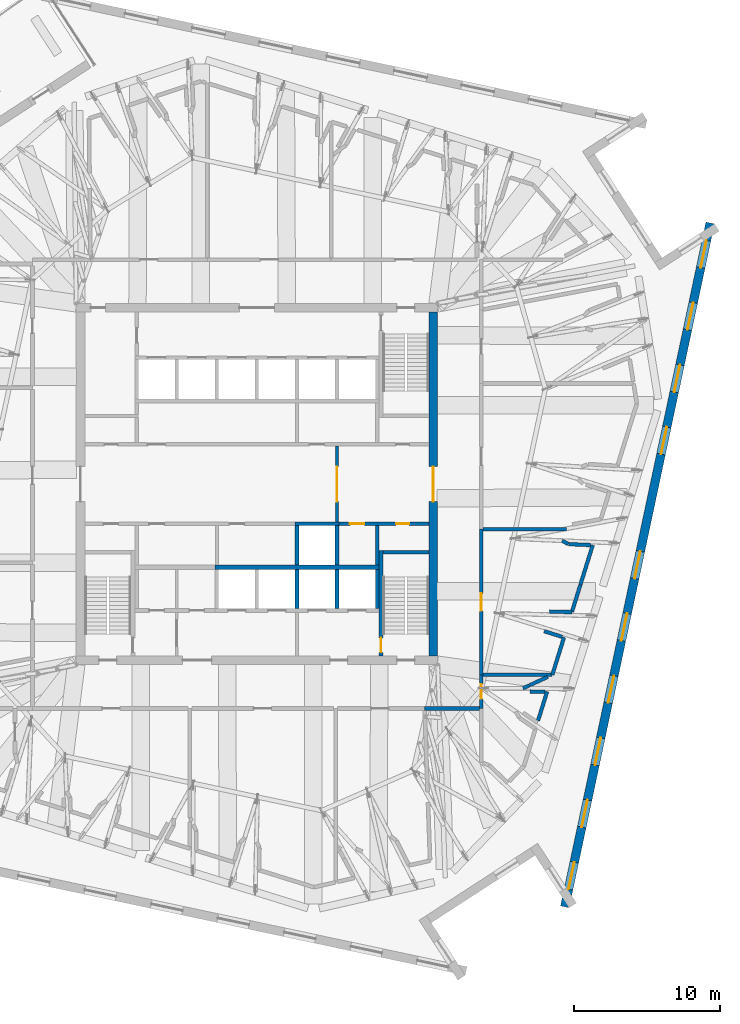
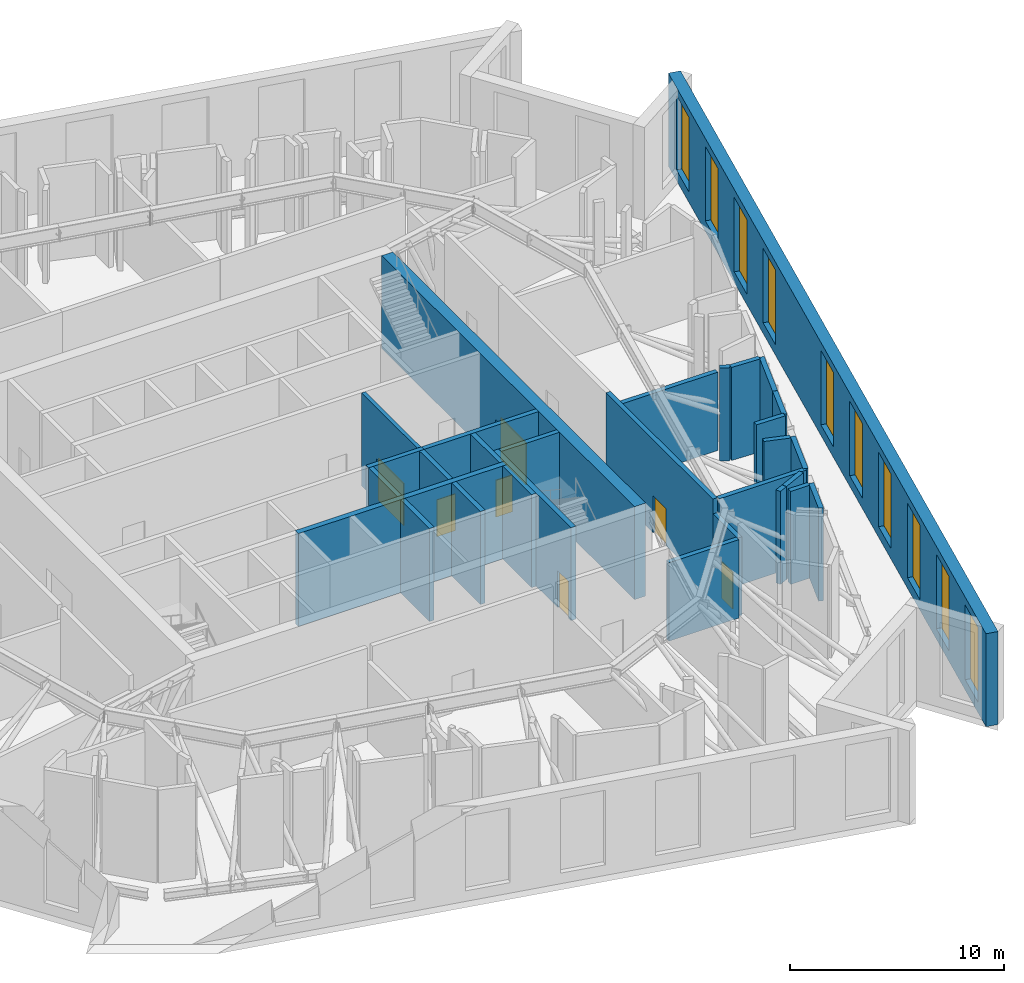
# One storey, part 9 of 19: 30 walls, 10 windows, 7 doors, 17 openings.
"""IFC4 building model written with IfcOpenShell, lengths in metres."""

from ifc_helpers import new_model, si_unit, direction, frame, frame_2d, origin, place, context, subcontext, project, spatial, rectangle, extrude, material, layer, layer_set, type_object, element, fill, save


model = new_model("IFC4")

# Units and contexts
model_context = context("Model", 3, precision=1e-05, world=origin(), true_north=direction((0.0, 1.0)))
body_context = subcontext(model_context, "Body", "Model", "MODEL_VIEW")
ifc_project = project(units=[si_unit("LENGTHUNIT", "METRE"), si_unit("AREAUNIT", "SQUARE_METRE"), si_unit("VOLUMEUNIT", "CUBIC_METRE"), si_unit("PLANEANGLEUNIT", "RADIAN"), si_unit("MASSUNIT", "GRAM", prefix="KILO")], contexts=[model_context])

# Site, building, storey
site_placement = place(None, origin())
site = spatial("IfcSite", under=ifc_project, at=site_placement, CompositionType="ELEMENT")
building_placement = place(site_placement, origin())
building = spatial("IfcBuilding", under=site, at=building_placement, Name="Dilmun Exchange Tower", CompositionType="ELEMENT")
storey_placement = place(building_placement, frame((0.0, 0.0, 344.5)))
storey = spatial("IfcBuildingStorey", under=building, at=storey_placement, Name="L82", CompositionType="ELEMENT", Elevation=344.5)

# Wall, opening, door
ifc_material_1 = material(Name="Concrete C40/50", Category="concrete")
ifc_layer_1 = layer(ifc_material_1, 0.199951171875)
ifc_layer_set_1 = layer_set([ifc_layer_1], Name="Concrete C40/50")
wall_type_1 = type_object("IfcWallType", Name="Core partition wall 200", PredefinedType="PARTITIONING", material=ifc_layer_set_1)
wall_1_placement = place(storey_placement, frame((5.5, -2.594970703125, 0.0), z_axis=(0.0, 0.0, 1.0), x_axis=(0.0, 1.0, 0.0)))
wall_1 = element("IfcWall", 1, at=wall_1_placement, inside=storey, type_object=wall_type_1, Name="L82 core partition wall 12", PredefinedType="PARTITIONING", context=body_context, shape_type="SweptSolid", body=[
    extrude(rectangle(XDim=5.18994140625, YDim=0.199951171875, at=frame_2d((2.594970703125, 0.0))), origin(), (0.0, 0.0, 1.0), 5.300048828125),
])
opening_1_placement = place(wall_1_placement, frame((1.39501953125, 0.0, 0.0)))
opening_1 = element("IfcOpeningElement", 2, at=opening_1_placement, cuts=wall_1, Name="Opening CD1", PredefinedType="OPENING", context=body_context, shape_type="SweptSolid", body=[
    extrude(rectangle(XDim=2.39990234375, YDim=2.39990234375, at=frame_2d((1.199951171875, 1.199951171875))), frame((0.0, 0.10986328125, 0.0), z_axis=(0.0, -1.0, 0.0), x_axis=(1.0, 0.0, 0.0)), (0.0, 0.0, 1.0), 0.219970703125),
])
ifc_material_2 = material(Name="Fire-rated steel door set", Category="steel")
door_type_1 = type_object("IfcDoorType", Name="Core lobby door 2400x2400", OperationType="DOUBLE_DOOR_DOUBLE_SWING", PredefinedType="DOOR", material=ifc_material_2)
door_1_placement = place(opening_1_placement, origin())
door_1 = element("IfcDoor", 3, at=door_1_placement, inside=storey, type_object=door_type_1, Name="L82 door Lift lobby east", OperationType="SINGLE_SWING_LEFT", OverallHeight=2.39990234375, OverallWidth=2.39990234375, PredefinedType="DOOR", context=body_context, shape_type="SweptSolid", body=[
    extrude(rectangle(XDim=2.39990234375, YDim=2.39990234375, at=frame_2d((1.199951171875, 1.199951171875))), frame((0.0, 0.02490234375, 0.0), z_axis=(0.0, -1.0, 0.0), x_axis=(1.0, 0.0, 0.0)), (0.0, 0.0, 1.0), 0.050048828125),
])
fill(opening_1, door_1)

# Wall
ifc_layer_2 = layer(ifc_material_1, 0.25)
ifc_layer_set_2 = layer_set([ifc_layer_2], Name="Concrete C40/50")
wall_type_2 = type_object("IfcWallType", Name="Core partition wall 250", PredefinedType="PARTITIONING", material=ifc_layer_set_2)
wall_2_placement = place(storey_placement, frame((8.25, -5.544921875, 0.0), z_axis=(0.0, 0.0, 1.0), x_axis=(0.0, 1.0, 0.0)))
element("IfcWall", 4, at=wall_2_placement, inside=storey, type_object=wall_type_2, Name="L82 core partition wall 09", PredefinedType="PARTITIONING", context=body_context, shape_type="SweptSolid", body=[
    extrude(rectangle(XDim=2.68994140625, YDim=0.25, at=frame_2d((1.344970703125, 0.0))), origin(), (0.0, 0.0, 1.0), 5.300048828125),
])

# Wall, openings, doors
wall_3_placement = place(storey_placement, frame((5.6298828125, -2.72509765625, 0.0), z_axis=(0.0, 0.0, 1.0), x_axis=(1.0, 0.0, 0.0)))
wall_3 = element("IfcWall", 5, at=wall_3_placement, inside=storey, type_object=wall_type_2, Name="L82 core partition wall 11", PredefinedType="PARTITIONING", context=body_context, shape_type="SweptSolid", body=[
    extrude(rectangle(XDim=6.1650390625, YDim=0.25, at=frame_2d((3.08251953125, 0.0))), origin(), (0.0, 0.0, 1.0), 5.300048828125),
])
opening_2_placement = place(wall_3_placement, frame((0.7451171875, 0.0, 0.0)))
opening_2 = element("IfcOpeningElement", 6, at=opening_2_placement, cuts=wall_3, Name="Opening CD4", PredefinedType="OPENING", context=body_context, shape_type="SweptSolid", body=[
    extrude(rectangle(XDim=1.0, YDim=2.10009765625, at=frame_2d((0.5, 1.050048828125))), frame((0.0, 0.135009765625, 0.0), z_axis=(0.0, -1.0, 0.0), x_axis=(1.0, 0.0, 0.0)), (0.0, 0.0, 1.0), 0.27001953125),
])
opening_3_placement = place(wall_3_placement, frame((3.919921875, 0.0, 0.0)))
opening_3 = element("IfcOpeningElement", 7, at=opening_3_placement, cuts=wall_3, Name="Opening CD6", PredefinedType="OPENING", context=body_context, shape_type="SweptSolid", body=[
    extrude(rectangle(XDim=0.89990234375, YDim=2.10009765625, at=frame_2d((0.449951171875, 1.050048828125))), frame((0.0, 0.135009765625, 0.0), z_axis=(0.0, -1.0, 0.0), x_axis=(1.0, 0.0, 0.0)), (0.0, 0.0, 1.0), 0.27001953125),
])
door_type_2 = type_object("IfcDoorType", Name="Core room door 1000x2100", OperationType="SINGLE_SWING_LEFT", PredefinedType="DOOR", material=ifc_material_2)
door_2_placement = place(opening_2_placement, origin())
door_2 = element("IfcDoor", 8, at=door_2_placement, inside=storey, type_object=door_type_2, Name="L82 door Cleaners' store", OperationType="SINGLE_SWING_LEFT", OverallHeight=2.10009765625, OverallWidth=1.0, PredefinedType="DOOR", context=body_context, shape_type="SweptSolid", body=[
    extrude(rectangle(XDim=1.0, YDim=2.10009765625, at=frame_2d((0.5, 1.050048828125))), frame((0.0, 0.02490234375, 0.0), z_axis=(0.0, -1.0, 0.0), x_axis=(1.0, 0.0, 0.0)), (0.0, 0.0, 1.0), 0.050048828125),
])
fill(opening_2, door_2)
door_type_3 = type_object("IfcDoorType", Name="Core room door 900x2100", OperationType="SINGLE_SWING_LEFT", PredefinedType="DOOR", material=ifc_material_2)
door_3_placement = place(opening_3_placement, origin())
door_3 = element("IfcDoor", 9, at=door_3_placement, inside=storey, type_object=door_type_3, Name="L82 door Comms riser", OperationType="SINGLE_SWING_LEFT", OverallHeight=2.10009765625, OverallWidth=0.89990234375, PredefinedType="DOOR", context=body_context, shape_type="SweptSolid", body=[
    extrude(rectangle(XDim=0.89990234375, YDim=2.10009765625, at=frame_2d((0.449951171875, 1.050048828125))), frame((0.0, 0.02490234375, 0.0), z_axis=(0.0, -1.0, 0.0), x_axis=(1.0, 0.0, 0.0)), (0.0, 0.0, 1.0), 0.050048828125),
])
fill(opening_3, door_3)

# Wall, opening, door
ifc_material_3 = material(Name="Concrete C50/60", Category="concrete")
ifc_layer_3 = layer(ifc_material_3, 0.60009765625)
ifc_layer_set_3 = layer_set([ifc_layer_3], Name="Concrete C50/60")
wall_type_3 = type_object("IfcWallType", Name="Core shear wall 600 Concrete C50/60", PredefinedType="SHEAR", material=ifc_layer_set_3)
wall_4_placement = place(storey_placement, frame((12.10009765625, -11.800048828125, 0.0), z_axis=(0.0, 0.0, 1.0), x_axis=(0.0, 1.0, 0.0)))
wall_4 = element("IfcWall", 10, at=wall_4_placement, inside=storey, type_object=wall_type_3, Name="L82 core shear wall E", PredefinedType="SHEAR", context=body_context, shape_type="SweptSolid", body=[
    extrude(rectangle(XDim=23.60009765625, YDim=0.60009765625, at=frame_2d((11.800048828125, 0.0))), origin(), (0.0, 0.0, 1.0), 5.300048828125),
])
opening_4_placement = place(wall_4_placement, frame((10.60009765625, 0.0, 0.0)))
opening_4 = element("IfcOpeningElement", 11, at=opening_4_placement, cuts=wall_4, Name="Opening CD1", PredefinedType="OPENING", context=body_context, shape_type="SweptSolid", body=[
    extrude(rectangle(XDim=2.39990234375, YDim=2.39990234375, at=frame_2d((1.199951171875, 1.199951171875))), frame((0.0, 0.31005859375, 0.0), z_axis=(0.0, -1.0, 0.0), x_axis=(1.0, 0.0, 0.0)), (0.0, 0.0, 1.0), 0.6201171875),
])
door_4_placement = place(opening_4_placement, origin())
door_4 = element("IfcDoor", 12, at=door_4_placement, inside=storey, type_object=door_type_1, Name="L82 door Central lift lobby", OperationType="SINGLE_SWING_LEFT", OverallHeight=2.39990234375, OverallWidth=2.39990234375, PredefinedType="DOOR", context=body_context, shape_type="SweptSolid", body=[
    extrude(rectangle(XDim=2.39990234375, YDim=2.39990234375, at=frame_2d((1.199951171875, 1.199951171875))), frame((0.0, 0.02490234375, 0.0), z_axis=(0.0, -1.0, 0.0), x_axis=(1.0, 0.0, 0.0)), (0.0, 0.0, 1.0), 0.050048828125),
])
fill(opening_4, door_4)

# Walls
ifc_layer_4 = layer(ifc_material_1, 0.300048828125)
ifc_layer_set_4 = layer_set([ifc_layer_4], Name="Concrete C40/50")
wall_type_4 = type_object("IfcWallType", Name="Lift shaft shared wall 300", PredefinedType="SOLIDWALL", material=ifc_layer_set_4)
wall_5_placement = place(storey_placement, frame((-2.875, -5.699951171875, 0.0), z_axis=(0.0, 0.0, 1.0), x_axis=(1.0, 0.0, 0.0)))
element("IfcWall", 13, at=wall_5_placement, inside=storey, type_object=wall_type_4, Name="L82 lift shaft rear wall S", PredefinedType="SOLIDWALL", context=body_context, shape_type="SweptSolid", body=[
    extrude(rectangle(XDim=11.25, YDim=0.300048828125, at=frame_2d((5.625, 0.0))), origin(), (0.0, 0.0, 1.0), 5.300048828125),
])
ifc_layer_5 = layer(ifc_material_1, 0.25)
ifc_layer_set_5 = layer_set([ifc_layer_5], Name="Concrete C40/50")
wall_type_5 = type_object("IfcWallType", Name="Lift shaft wall 250", PredefinedType="SOLIDWALL", material=ifc_layer_set_5)
wall_6_placement = place(storey_placement, frame((2.625, -2.72509765625, 0.0), z_axis=(0.0, 0.0, 1.0), x_axis=(1.0, 0.0, 0.0)))
element("IfcWall", 14, at=wall_6_placement, inside=storey, type_object=wall_type_5, Name="L82 lift shaft front wall S1", PredefinedType="SOLIDWALL", context=body_context, shape_type="SweptSolid", body=[
    extrude(rectangle(XDim=3.0, YDim=0.25, at=frame_2d((1.5, 0.0))), origin(), (0.0, 0.0, 1.0), 5.300048828125),
])
for number, where, z_axis, x_axis, name in (
    (15, (2.75, -5.550048828125, 0.0), (0.0, 0.0, 1.0), (0.0, 1.0, 0.0), "L82 lift shaft divider S14"),
    (16, (5.5, -5.550048828125, 0.0), (0.0, 0.0, 1.0), (0.0, 1.0, 0.0), "L82 lift shaft divider S15"),
    (17, (2.75, -8.550048828125, 0.0), (0.0, 0.0, 1.0), (0.0, 1.0, 0.0), "L82 lift shaft divider S24"),
    (18, (5.5, -8.550048828125, 0.0), (0.0, 0.0, 1.0), (0.0, 1.0, 0.0), "L82 lift shaft divider S25"),
    (19, (8.25, -8.550048828125, 0.0), (0.0, 0.0, 1.0), (0.0, 1.0, 0.0), "L82 lift shaft divider S26"),
):
    element("IfcWall", number, at=place(storey_placement, frame(where, z_axis=z_axis, x_axis=x_axis)), inside=storey, type_object=wall_type_5, Name=name, PredefinedType="SOLIDWALL", context=body_context, shape_type="SweptSolid", body=[
        extrude(rectangle(XDim=2.699951171875, YDim=0.25, at=frame_2d((1.35009765625, 0.0))), origin(), (0.0, 0.0, 1.0), 5.300048828125),
    ])
ifc_material_4 = material(Name="Concrete C32/40", Category="concrete")
ifc_layer_6 = layer(ifc_material_4, 0.25)
ifc_layer_set_6 = layer_set([ifc_layer_6], Name="Concrete C32/40")
wall_type_6 = type_object("IfcWallType", Name="Plant room wall 250", PredefinedType="PARTITIONING", material=ifc_layer_set_6)
wall_7_placement = place(storey_placement, frame((11.511962890625, -15.39990234375, 0.0), z_axis=(0.0, 0.0, 1.0), x_axis=(1.0, 0.0, 0.0)))
element("IfcWall", 20, at=wall_7_placement, inside=storey, type_object=wall_type_6, Name="L82 plant room wall 62", PredefinedType="PARTITIONING", context=body_context, shape_type="SweptSolid", body=[
    extrude(rectangle(XDim=3.758056640625, YDim=0.25, at=frame_2d((1.87890625, 0.0))), origin(), (0.0, 0.0, 1.0), 4.466064453125),
])

# Wall, opening, door
wall_8_placement = place(storey_placement, frame((15.39990234375, -15.39501953125, 0.0), z_axis=(0.0, 0.0, 1.0), x_axis=(0.0, 1.0, 0.0)))
wall_8 = element("IfcWall", 21, at=wall_8_placement, inside=storey, type_object=wall_type_6, Name="L82 plant room wall 63", PredefinedType="PARTITIONING", context=body_context, shape_type="SweptSolid", body=[
    extrude(rectangle(XDim=2.294921875, YDim=0.25, at=frame_2d((1.1474609375, 0.0))), origin(), (0.0, 0.0, 1.0), 4.466064453125),
])
opening_5_placement = place(wall_8_placement, frame((0.655029296875, 0.0, 0.0)))
opening_5 = element("IfcOpeningElement", 22, at=opening_5_placement, cuts=wall_8, Name="Opening PD1", PredefinedType="OPENING", context=body_context, shape_type="SweptSolid", body=[
    extrude(rectangle(XDim=1.0, YDim=2.10009765625, at=frame_2d((0.5, 1.050048828125))), frame((0.0, 0.135009765625, 0.0), z_axis=(0.0, -1.0, 0.0), x_axis=(1.0, 0.0, 0.0)), (0.0, 0.0, 1.0), 0.27001953125),
])
door_type_4 = type_object("IfcDoorType", Name="Plant room door 1000x2100", OperationType="SINGLE_SWING_LEFT", PredefinedType="DOOR", material=ifc_material_2)
door_5_placement = place(opening_5_placement, origin())
door_5 = element("IfcDoor", 23, at=door_5_placement, inside=storey, type_object=door_type_4, Name="L82 door Mechanical valve room", OperationType="SINGLE_SWING_RIGHT", OverallHeight=2.10009765625, OverallWidth=1.0, PredefinedType="DOOR", context=body_context, shape_type="SweptSolid", body=[
    extrude(rectangle(XDim=1.0, YDim=2.10009765625, at=frame_2d((0.5, 1.050048828125))), frame((0.0, 0.02490234375, 0.0), z_axis=(0.0, -1.0, 0.0), x_axis=(1.0, 0.0, 0.0)), (0.0, 0.0, 1.0), 0.050048828125),
])
fill(opening_5, door_5)

# Walls
wall_9_placement = place(storey_placement, frame((19.29150390625, -16.24072265625, 0.0), z_axis=(0.0, 0.0, 1.0), x_axis=(0.297582770828, 0.954696022044, 0.0)))
element("IfcWall", 24, at=wall_9_placement, inside=storey, type_object=wall_type_6, Name="L82 plant room wall 64", PredefinedType="PARTITIONING", context=body_context, shape_type="SweptSolid", body=[
    extrude(rectangle(XDim=2.0888671875, YDim=0.25, at=frame_2d((1.04443359375, 0.0))), origin(), (0.0, 0.0, 1.0), 5.300048828125),
])
wall_10_placement = place(storey_placement, frame((18.727294921875, -14.2421875, 0.0), z_axis=(0.0, 0.0, 1.0), x_axis=(0.999993077411, -0.003720904474, 0.0)))
element("IfcWall", 25, at=wall_10_placement, inside=storey, type_object=wall_type_6, Name="L82 plant room wall 65", PredefinedType="PARTITIONING", context=body_context, shape_type="SweptSolid", body=[
    extrude(rectangle(XDim=1.0498046875, YDim=0.25, at=frame_2d((0.52490234375, 0.0))), origin(), (0.0, 0.0, 1.0), 5.300048828125),
])
wall_11_placement = place(storey_placement, frame((18.26123046875, -14.01806640625, 0.0), z_axis=(0.0, 0.0, 1.0), x_axis=(0.907737611809, 0.419538351175, 0.0)))
element("IfcWall", 26, at=wall_11_placement, inside=storey, type_object=wall_type_6, Name="L82 plant room wall 66", PredefinedType="PARTITIONING", context=body_context, shape_type="SweptSolid", body=[
    extrude(rectangle(XDim=0.483642578125, YDim=0.25, at=frame_2d((0.24169921875, 0.0))), origin(), (0.0, 0.0, 1.0), 5.300048828125),
])

# Wall, opening, door
wall_12_placement = place(storey_placement, frame((15.39990234375, -13.094970703125, 0.0), z_axis=(0.0, 0.0, 1.0), x_axis=(0.0, 1.0, 0.0)))
wall_12 = element("IfcWall", 27, at=wall_12_placement, inside=storey, type_object=wall_type_6, Name="L82 plant room wall 68", PredefinedType="PARTITIONING", context=body_context, shape_type="SweptSolid", body=[
    extrude(rectangle(XDim=9.994873046875, YDim=0.25, at=frame_2d((4.99755859375, 0.0))), origin(), (0.0, 0.0, 1.0), 5.300048828125),
])
opening_6_placement = place(wall_12_placement, frame((4.39501953125, 0.0, 0.0)))
opening_6 = element("IfcOpeningElement", 28, at=opening_6_placement, cuts=wall_12, Name="Opening PD2", PredefinedType="OPENING", context=body_context, shape_type="SweptSolid", body=[
    extrude(rectangle(XDim=1.199951171875, YDim=2.10009765625, at=frame_2d((0.60009765625, 1.050048828125))), frame((0.0, 0.135009765625, 0.0), z_axis=(0.0, -1.0, 0.0), x_axis=(1.0, 0.0, 0.0)), (0.0, 0.0, 1.0), 0.27001953125),
])
door_type_5 = type_object("IfcDoorType", Name="Plant room door 1200x2100", OperationType="SINGLE_SWING_LEFT", PredefinedType="DOOR", material=ifc_material_2)
door_6_placement = place(opening_6_placement, origin())
door_6 = element("IfcDoor", 29, at=door_6_placement, inside=storey, type_object=door_type_5, Name="L82 door AHU room", OperationType="SINGLE_SWING_LEFT", OverallHeight=2.10009765625, OverallWidth=1.199951171875, PredefinedType="DOOR", context=body_context, shape_type="SweptSolid", body=[
    extrude(rectangle(XDim=1.199951171875, YDim=2.10009765625, at=frame_2d((0.60009765625, 1.050048828125))), frame((0.0, 0.02490234375, 0.0), z_axis=(0.0, -1.0, 0.0), x_axis=(1.0, 0.0, 0.0)), (0.0, 0.0, 1.0), 0.050048828125),
])
fill(opening_6, door_6)

# Walls
wall_13_placement = place(storey_placement, frame((15.530029296875, -13.10009765625, 0.0), z_axis=(0.0, 0.0, 1.0), x_axis=(1.0, 0.0, 0.0)))
element("IfcWall", 30, at=wall_13_placement, inside=storey, type_object=wall_type_6, Name="L82 plant room wall 69", PredefinedType="PARTITIONING", context=body_context, shape_type="SweptSolid", body=[
    extrude(rectangle(XDim=4.719482421875, YDim=0.25, at=frame_2d((2.35986328125, 0.0))), origin(), (0.0, 0.0, 1.0), 5.300048828125),
])
wall_14_placement = place(storey_placement, frame((18.7138671875, -13.80908203125, 0.0), z_axis=(0.0, 0.0, 1.0), x_axis=(0.907886952758, 0.419215077271, 0.0)))
element("IfcWall", 31, at=wall_14_placement, inside=storey, type_object=wall_type_6, Name="L82 plant room wall 70", PredefinedType="PARTITIONING", context=body_context, shape_type="SweptSolid", body=[
    extrude(rectangle(XDim=1.38134765625, YDim=0.25, at=frame_2d((0.690673828125, 0.0))), origin(), (0.0, 0.0, 1.0), 5.300048828125),
])
wall_15_placement = place(storey_placement, frame((20.270263671875, -13.10009765625, 0.0), z_axis=(0.0, 0.0, 1.0), x_axis=(0.297460741613, 0.954734050508, 0.0)))
element("IfcWall", 32, at=wall_15_placement, inside=storey, type_object=wall_type_6, Name="L82 plant room wall 76", PredefinedType="PARTITIONING", context=body_context, shape_type="SweptSolid", body=[
    extrude(rectangle(XDim=2.69775390625, YDim=0.25, at=frame_2d((1.348876953125, 0.0))), origin(), (0.0, 0.0, 1.0), 5.300048828125),
])
wall_16_placement = place(storey_placement, frame((19.7158203125, -10.1015625, 0.0), z_axis=(0.0, 0.0, 1.0), x_axis=(0.954755423217, -0.297392134796, 0.0)))
element("IfcWall", 33, at=wall_16_placement, inside=storey, type_object=wall_type_6, Name="L82 plant room wall 77", PredefinedType="PARTITIONING", context=body_context, shape_type="SweptSolid", body=[
    extrude(rectangle(XDim=1.291259765625, YDim=0.25, at=frame_2d((0.6455078125, 0.0))), origin(), (0.0, 0.0, 1.0), 5.300048828125),
])
wall_17_placement = place(storey_placement, frame((20.07421875, -8.751708984375, 0.0), z_axis=(0.0, 0.0, 1.0), x_axis=(0.999677963181, -0.025376562607, 0.0)))
element("IfcWall", 34, at=wall_17_placement, inside=storey, type_object=wall_type_6, Name="L82 plant room wall 79", PredefinedType="PARTITIONING", context=body_context, shape_type="SweptSolid", body=[
    extrude(rectangle(XDim=1.539306640625, YDim=0.25, at=frame_2d((0.76953125, 0.0))), origin(), (0.0, 0.0, 1.0), 5.300048828125),
])
wall_18_placement = place(storey_placement, frame((21.618408203125, -8.773193359375, 0.0), z_axis=(0.0, 0.0, 1.0), x_axis=(0.297560018368, 0.954703113784, 0.0)))
element("IfcWall", 35, at=wall_18_placement, inside=storey, type_object=wall_type_6, Name="L82 plant room wall 82", PredefinedType="PARTITIONING", context=body_context, shape_type="SweptSolid", body=[
    extrude(rectangle(XDim=1.944580078125, YDim=0.25, at=frame_2d((0.97216796875, 0.0))), origin(), (0.0, 0.0, 1.0), 5.300048828125),
])
wall_19_placement = place(storey_placement, frame((22.198486328125, -6.912109375, 0.0), z_axis=(0.0, 0.0, 1.0), x_axis=(0.29747739365, 0.954728862174, 0.0)))
element("IfcWall", 36, at=wall_19_placement, inside=storey, type_object=wall_type_6, Name="L82 plant room wall 85", PredefinedType="PARTITIONING", context=body_context, shape_type="SweptSolid", body=[
    extrude(rectangle(XDim=2.84130859375, YDim=0.25, at=frame_2d((1.420654296875, 0.0))), origin(), (0.0, 0.0, 1.0), 5.300048828125),
])
wall_20_placement = place(storey_placement, frame((21.3994140625, -4.126708984375, 0.0), z_axis=(0.0, 0.0, 1.0), x_axis=(0.999019848314, -0.044264462878, 0.0)))
element("IfcWall", 37, at=wall_20_placement, inside=storey, type_object=wall_type_6, Name="L82 plant room wall 86", PredefinedType="PARTITIONING", context=body_context, shape_type="SweptSolid", body=[
    extrude(rectangle(XDim=1.51123046875, YDim=0.25, at=frame_2d((0.755615234375, 0.0))), origin(), (0.0, 0.0, 1.0), 5.300048828125),
])
wall_21_placement = place(storey_placement, frame((20.942138671875, -3.8955078125, 0.0), z_axis=(0.0, 0.0, 1.0), x_axis=(0.886728784224, -0.462290020688, 0.0)))
element("IfcWall", 38, at=wall_21_placement, inside=storey, type_object=wall_type_6, Name="L82 plant room wall 87", PredefinedType="PARTITIONING", context=body_context, shape_type="SweptSolid", body=[
    extrude(rectangle(XDim=0.483642578125, YDim=0.25, at=frame_2d((0.24169921875, 0.0))), origin(), (0.0, 0.0, 1.0), 5.300048828125),
])
wall_22_placement = place(storey_placement, frame((15.530029296875, -3.10009765625, 0.0), z_axis=(0.0, 0.0, 1.0), x_axis=(1.0, 0.0, 0.0)))
element("IfcWall", 39, at=wall_22_placement, inside=storey, type_object=wall_type_6, Name="L82 plant room wall 89", PredefinedType="PARTITIONING", context=body_context, shape_type="SweptSolid", body=[
    extrude(rectangle(XDim=5.7119140625, YDim=0.25, at=frame_2d((2.85595703125, 0.0))), origin(), (0.0, 0.0, 1.0), 4.466064453125),
])

# Wall, openings, windows
ifc_material_5 = material(Name="Precast concrete C50/60", Category="concrete")
ifc_layer_7 = layer(ifc_material_5, 0.60009765625)
ifc_layer_set_7 = layer_set([ifc_layer_7], Name="Precast concrete C50/60")
wall_type_7 = type_object("IfcWallType", Name="Precast stone-clad wall 600", PredefinedType="STANDARD", material=ifc_layer_set_7)
wall_23_placement = place(storey_placement, frame((21.12890625, -29.0166015625, 0.0), z_axis=(0.0, 0.0, 1.0), x_axis=(0.207910119568, 0.978147934712, 0.0)))
wall_23 = element("IfcWall", 40, at=wall_23_placement, inside=storey, type_object=wall_type_7, Name="Facade wall L82-11", PredefinedType="STANDARD", context=body_context, shape_type="SweptSolid", body=[
    extrude(rectangle(XDim=47.97900390625, YDim=0.60009765625, at=frame_2d((23.989501953125, 0.0))), origin(), (0.0, 0.0, 1.0), 5.300048828125),
])
opening_7_placement = place(wall_23_placement, frame((1.23095703125, 0.0, 0.60009765625)))
opening_7 = element("IfcOpeningElement", 41, at=opening_7_placement, cuts=wall_23, Name="Opening LV190-425", PredefinedType="OPENING", context=body_context, shape_type="SweptSolid", body=[
    extrude(rectangle(XDim=1.89990234375, YDim=4.25, at=frame_2d((0.949951171875, 2.125))), frame((0.0, 0.31005859375, 0.0), z_axis=(0.0, -1.0, 0.0), x_axis=(1.0, 0.0, 0.0)), (0.0, 0.0, 1.0), 0.6201171875),
])
opening_8_placement = place(wall_23_placement, frame((5.592529296875, 0.0, 0.60009765625)))
opening_8 = element("IfcOpeningElement", 42, at=opening_8_placement, cuts=wall_23, Name="Opening LV190-425", PredefinedType="OPENING", context=body_context, shape_type="SweptSolid", body=[
    extrude(rectangle(XDim=1.89990234375, YDim=4.25, at=frame_2d((0.949951171875, 2.125))), frame((0.0, 0.31005859375, 0.0), z_axis=(0.0, -1.0, 0.0), x_axis=(1.0, 0.0, 0.0)), (0.0, 0.0, 1.0), 0.6201171875),
])
opening_9_placement = place(wall_23_placement, frame((9.954345703125, 0.0, 0.60009765625)))
opening_9 = element("IfcOpeningElement", 43, at=opening_9_placement, cuts=wall_23, Name="Opening LV190-425", PredefinedType="OPENING", context=body_context, shape_type="SweptSolid", body=[
    extrude(rectangle(XDim=1.89990234375, YDim=4.25, at=frame_2d((0.949951171875, 2.125))), frame((0.0, 0.31005859375, 0.0), z_axis=(0.0, -1.0, 0.0), x_axis=(1.0, 0.0, 0.0)), (0.0, 0.0, 1.0), 0.6201171875),
])
opening_10_placement = place(wall_23_placement, frame((14.316162109375, 0.0, 0.60009765625)))
opening_10 = element("IfcOpeningElement", 44, at=opening_10_placement, cuts=wall_23, Name="Opening LV190-425", PredefinedType="OPENING", context=body_context, shape_type="SweptSolid", body=[
    extrude(rectangle(XDim=1.89990234375, YDim=4.25, at=frame_2d((0.949951171875, 2.125))), frame((0.0, 0.31005859375, 0.0), z_axis=(0.0, -1.0, 0.0), x_axis=(1.0, 0.0, 0.0)), (0.0, 0.0, 1.0), 0.6201171875),
])
opening_11_placement = place(wall_23_placement, frame((18.677734375, 0.0, 0.60009765625)))
opening_11 = element("IfcOpeningElement", 45, at=opening_11_placement, cuts=wall_23, Name="Opening LV190-425", PredefinedType="OPENING", context=body_context, shape_type="SweptSolid", body=[
    extrude(rectangle(XDim=1.89990234375, YDim=4.25, at=frame_2d((0.949951171875, 2.125))), frame((0.0, 0.31005859375, 0.0), z_axis=(0.0, -1.0, 0.0), x_axis=(1.0, 0.0, 0.0)), (0.0, 0.0, 1.0), 0.6201171875),
])
opening_12_placement = place(wall_23_placement, frame((23.03955078125, 0.0, 0.60009765625)))
opening_12 = element("IfcOpeningElement", 46, at=opening_12_placement, cuts=wall_23, Name="Opening LV190-425", PredefinedType="OPENING", context=body_context, shape_type="SweptSolid", body=[
    extrude(rectangle(XDim=1.89990234375, YDim=4.25, at=frame_2d((0.949951171875, 2.125))), frame((0.0, 0.31005859375, 0.0), z_axis=(0.0, -1.0, 0.0), x_axis=(1.0, 0.0, 0.0)), (0.0, 0.0, 1.0), 0.6201171875),
])
opening_13_placement = place(wall_23_placement, frame((31.76318359375, 0.0, 0.60009765625)))
opening_13 = element("IfcOpeningElement", 47, at=opening_13_placement, cuts=wall_23, Name="Opening LV190-425", PredefinedType="OPENING", context=body_context, shape_type="SweptSolid", body=[
    extrude(rectangle(XDim=1.89990234375, YDim=4.25, at=frame_2d((0.949951171875, 2.125))), frame((0.0, 0.31005859375, 0.0), z_axis=(0.0, -1.0, 0.0), x_axis=(1.0, 0.0, 0.0)), (0.0, 0.0, 1.0), 0.6201171875),
])
opening_14_placement = place(wall_23_placement, frame((36.124755859375, 0.0, 0.60009765625)))
opening_14 = element("IfcOpeningElement", 48, at=opening_14_placement, cuts=wall_23, Name="Opening LV190-425", PredefinedType="OPENING", context=body_context, shape_type="SweptSolid", body=[
    extrude(rectangle(XDim=1.89990234375, YDim=4.25, at=frame_2d((0.949951171875, 2.125))), frame((0.0, 0.31005859375, 0.0), z_axis=(0.0, -1.0, 0.0), x_axis=(1.0, 0.0, 0.0)), (0.0, 0.0, 1.0), 0.6201171875),
])
opening_15_placement = place(wall_23_placement, frame((40.486572265625, 0.0, 0.60009765625)))
opening_15 = element("IfcOpeningElement", 49, at=opening_15_placement, cuts=wall_23, Name="Opening LV190-425", PredefinedType="OPENING", context=body_context, shape_type="SweptSolid", body=[
    extrude(rectangle(XDim=1.89990234375, YDim=4.25, at=frame_2d((0.949951171875, 2.125))), frame((0.0, 0.31005859375, 0.0), z_axis=(0.0, -1.0, 0.0), x_axis=(1.0, 0.0, 0.0)), (0.0, 0.0, 1.0), 0.6201171875),
])
opening_16_placement = place(wall_23_placement, frame((44.848388671875, 0.0, 0.60009765625)))
opening_16 = element("IfcOpeningElement", 50, at=opening_16_placement, cuts=wall_23, Name="Opening LV190-425", PredefinedType="OPENING", context=body_context, shape_type="SweptSolid", body=[
    extrude(rectangle(XDim=1.89990234375, YDim=4.25, at=frame_2d((0.949951171875, 2.125))), frame((0.0, 0.31005859375, 0.0), z_axis=(0.0, -1.0, 0.0), x_axis=(1.0, 0.0, 0.0)), (0.0, 0.0, 1.0), 0.6201171875),
])
ifc_material_6 = material(Name="Anodised aluminium louvre blades with sand trap", Category="aluminium")
window_type = type_object("IfcWindowType", Name="Plant louvre 1900 x 4250", PartitioningType="SINGLE_PANEL", PredefinedType="USERDEFINED", material=ifc_material_6)
window_1_placement = place(opening_7_placement, origin())
window_1 = element("IfcWindow", 51, at=window_1_placement, inside=storey, type_object=window_type, Name="Plant louvre 12.1", ObjectType="LOUVRE", OverallHeight=4.25, OverallWidth=1.89990234375, PartitioningType="SINGLE_PANEL", PredefinedType="USERDEFINED", context=body_context, shape_type="SweptSolid", body=[
    extrude(rectangle(XDim=1.89990234375, YDim=4.25, at=frame_2d((0.949951171875, 2.125))), frame((0.0, 0.030029296875, 0.0), z_axis=(0.0, -1.0, 0.0), x_axis=(1.0, 0.0, 0.0)), (0.0, 0.0, 1.0), 0.06005859375),
])
fill(opening_7, window_1)
window_2_placement = place(opening_8_placement, origin())
window_2 = element("IfcWindow", 52, at=window_2_placement, inside=storey, type_object=window_type, Name="Plant louvre 12.2", ObjectType="LOUVRE", OverallHeight=4.25, OverallWidth=1.89990234375, PartitioningType="SINGLE_PANEL", PredefinedType="USERDEFINED", context=body_context, shape_type="SweptSolid", body=[
    extrude(rectangle(XDim=1.89990234375, YDim=4.25, at=frame_2d((0.949951171875, 2.125))), frame((0.0, 0.030029296875, 0.0), z_axis=(0.0, -1.0, 0.0), x_axis=(1.0, 0.0, 0.0)), (0.0, 0.0, 1.0), 0.06005859375),
])
fill(opening_8, window_2)
window_3_placement = place(opening_9_placement, origin())
window_3 = element("IfcWindow", 53, at=window_3_placement, inside=storey, type_object=window_type, Name="Plant louvre 12.3", ObjectType="LOUVRE", OverallHeight=4.25, OverallWidth=1.89990234375, PartitioningType="SINGLE_PANEL", PredefinedType="USERDEFINED", context=body_context, shape_type="SweptSolid", body=[
    extrude(rectangle(XDim=1.89990234375, YDim=4.25, at=frame_2d((0.949951171875, 2.125))), frame((0.0, 0.030029296875, 0.0), z_axis=(0.0, -1.0, 0.0), x_axis=(1.0, 0.0, 0.0)), (0.0, 0.0, 1.0), 0.06005859375),
])
fill(opening_9, window_3)
window_4_placement = place(opening_10_placement, origin())
window_4 = element("IfcWindow", 54, at=window_4_placement, inside=storey, type_object=window_type, Name="Plant louvre 12.4", ObjectType="LOUVRE", OverallHeight=4.25, OverallWidth=1.89990234375, PartitioningType="SINGLE_PANEL", PredefinedType="USERDEFINED", context=body_context, shape_type="SweptSolid", body=[
    extrude(rectangle(XDim=1.89990234375, YDim=4.25, at=frame_2d((0.949951171875, 2.125))), frame((0.0, 0.030029296875, 0.0), z_axis=(0.0, -1.0, 0.0), x_axis=(1.0, 0.0, 0.0)), (0.0, 0.0, 1.0), 0.06005859375),
])
fill(opening_10, window_4)
window_5_placement = place(opening_11_placement, origin())
window_5 = element("IfcWindow", 55, at=window_5_placement, inside=storey, type_object=window_type, Name="Plant louvre 12.5", ObjectType="LOUVRE", OverallHeight=4.25, OverallWidth=1.89990234375, PartitioningType="SINGLE_PANEL", PredefinedType="USERDEFINED", context=body_context, shape_type="SweptSolid", body=[
    extrude(rectangle(XDim=1.89990234375, YDim=4.25, at=frame_2d((0.949951171875, 2.125))), frame((0.0, 0.030029296875, 0.0), z_axis=(0.0, -1.0, 0.0), x_axis=(1.0, 0.0, 0.0)), (0.0, 0.0, 1.0), 0.06005859375),
])
fill(opening_11, window_5)
window_6_placement = place(opening_12_placement, origin())
window_6 = element("IfcWindow", 56, at=window_6_placement, inside=storey, type_object=window_type, Name="Plant louvre 12.6", ObjectType="LOUVRE", OverallHeight=4.25, OverallWidth=1.89990234375, PartitioningType="SINGLE_PANEL", PredefinedType="USERDEFINED", context=body_context, shape_type="SweptSolid", body=[
    extrude(rectangle(XDim=1.89990234375, YDim=4.25, at=frame_2d((0.949951171875, 2.125))), frame((0.0, 0.030029296875, 0.0), z_axis=(0.0, -1.0, 0.0), x_axis=(1.0, 0.0, 0.0)), (0.0, 0.0, 1.0), 0.06005859375),
])
fill(opening_12, window_6)
window_7_placement = place(opening_13_placement, origin())
window_7 = element("IfcWindow", 57, at=window_7_placement, inside=storey, type_object=window_type, Name="Plant louvre 12.8", ObjectType="LOUVRE", OverallHeight=4.25, OverallWidth=1.89990234375, PartitioningType="SINGLE_PANEL", PredefinedType="USERDEFINED", context=body_context, shape_type="SweptSolid", body=[
    extrude(rectangle(XDim=1.89990234375, YDim=4.25, at=frame_2d((0.949951171875, 2.125))), frame((0.0, 0.030029296875, 0.0), z_axis=(0.0, -1.0, 0.0), x_axis=(1.0, 0.0, 0.0)), (0.0, 0.0, 1.0), 0.06005859375),
])
fill(opening_13, window_7)
window_8_placement = place(opening_14_placement, origin())
window_8 = element("IfcWindow", 58, at=window_8_placement, inside=storey, type_object=window_type, Name="Plant louvre 12.9", ObjectType="LOUVRE", OverallHeight=4.25, OverallWidth=1.89990234375, PartitioningType="SINGLE_PANEL", PredefinedType="USERDEFINED", context=body_context, shape_type="SweptSolid", body=[
    extrude(rectangle(XDim=1.89990234375, YDim=4.25, at=frame_2d((0.949951171875, 2.125))), frame((0.0, 0.030029296875, 0.0), z_axis=(0.0, -1.0, 0.0), x_axis=(1.0, 0.0, 0.0)), (0.0, 0.0, 1.0), 0.06005859375),
])
fill(opening_14, window_8)
window_9_placement = place(opening_15_placement, origin())
window_9 = element("IfcWindow", 59, at=window_9_placement, inside=storey, type_object=window_type, Name="Plant louvre 12.10", ObjectType="LOUVRE", OverallHeight=4.25, OverallWidth=1.89990234375, PartitioningType="SINGLE_PANEL", PredefinedType="USERDEFINED", context=body_context, shape_type="SweptSolid", body=[
    extrude(rectangle(XDim=1.89990234375, YDim=4.25, at=frame_2d((0.949951171875, 2.125))), frame((0.0, 0.030029296875, 0.0), z_axis=(0.0, -1.0, 0.0), x_axis=(1.0, 0.0, 0.0)), (0.0, 0.0, 1.0), 0.06005859375),
])
fill(opening_15, window_9)
window_10_placement = place(opening_16_placement, origin())
window_10 = element("IfcWindow", 60, at=window_10_placement, inside=storey, type_object=window_type, Name="Plant louvre 12.11", ObjectType="LOUVRE", OverallHeight=4.25, OverallWidth=1.89990234375, PartitioningType="SINGLE_PANEL", PredefinedType="USERDEFINED", context=body_context, shape_type="SweptSolid", body=[
    extrude(rectangle(XDim=1.89990234375, YDim=4.25, at=frame_2d((0.949951171875, 2.125))), frame((0.0, 0.030029296875, 0.0), z_axis=(0.0, -1.0, 0.0), x_axis=(1.0, 0.0, 0.0)), (0.0, 0.0, 1.0), 0.06005859375),
])
fill(opening_16, window_10)

# Wall
ifc_layer_8 = layer(ifc_material_1, 0.25)
ifc_layer_set_8 = layer_set([ifc_layer_8], Name="Concrete C40/50")
wall_type_8 = type_object("IfcWallType", Name="Stair end wall 250", PredefinedType="SOLIDWALL", material=ifc_layer_set_8)
wall_24_placement = place(storey_placement, frame((8.64990234375, -4.675048828125, 0.0), z_axis=(0.0, 0.0, 1.0), x_axis=(1.0, 0.0, 0.0)))
element("IfcWall", 61, at=wall_24_placement, inside=storey, type_object=wall_type_8, Name="L82 ST3 far wall", PredefinedType="SOLIDWALL", context=body_context, shape_type="SweptSolid", body=[
    extrude(rectangle(XDim=3.150146484375, YDim=0.25, at=frame_2d((1.5751953125, 0.0))), origin(), (0.0, 0.0, 1.0), 5.300048828125),
])

# Wall, opening, door
ifc_layer_9 = layer(ifc_material_1, 0.27490234375)
ifc_layer_set_9 = layer_set([ifc_layer_9], Name="Concrete C40/50")
wall_type_9 = type_object("IfcWallType", Name="Stair wall 275", PredefinedType="SOLIDWALL", material=ifc_layer_set_9)
wall_25_placement = place(storey_placement, frame((8.512451171875, -4.550048828125, 0.0), z_axis=(0.0, 0.0, 1.0), x_axis=(0.0, -1.0, 0.0)))
wall_25 = element("IfcWall", 62, at=wall_25_placement, inside=storey, type_object=wall_type_9, Name="L82 ST3 wall to lift block", PredefinedType="SOLIDWALL", context=body_context, shape_type="SweptSolid", body=[
    extrude(rectangle(XDim=7.25, YDim=0.27490234375, at=frame_2d((3.625, 0.0))), origin(), (0.0, 0.0, 1.0), 5.300048828125),
])
opening_17_placement = place(wall_25_placement, frame((6.0, 0.0, 0.0)))
opening_17 = element("IfcOpeningElement", 63, at=opening_17_placement, cuts=wall_25, Name="Opening CD4", PredefinedType="OPENING", context=body_context, shape_type="SweptSolid", body=[
    extrude(rectangle(XDim=1.0, YDim=2.10009765625, at=frame_2d((0.5, 1.050048828125))), frame((0.0, 0.1474609375, 0.0), z_axis=(0.0, -1.0, 0.0), x_axis=(1.0, 0.0, 0.0)), (0.0, 0.0, 1.0), 0.294921875),
])
door_7_placement = place(opening_17_placement, origin())
door_7 = element("IfcDoor", 64, at=door_7_placement, inside=storey, type_object=door_type_2, Name="L82 door ST3 from lobby", OperationType="SINGLE_SWING_LEFT", OverallHeight=2.10009765625, OverallWidth=1.0, PredefinedType="DOOR", context=body_context, shape_type="SweptSolid", body=[
    extrude(rectangle(XDim=1.0, YDim=2.10009765625, at=frame_2d((0.5, 1.050048828125))), frame((0.0, 0.02490234375, 0.0), z_axis=(0.0, -1.0, 0.0), x_axis=(1.0, 0.0, 0.0)), (0.0, 0.0, 1.0), 0.050048828125),
])
fill(opening_17, door_7)

save(model, "model.ifc")
